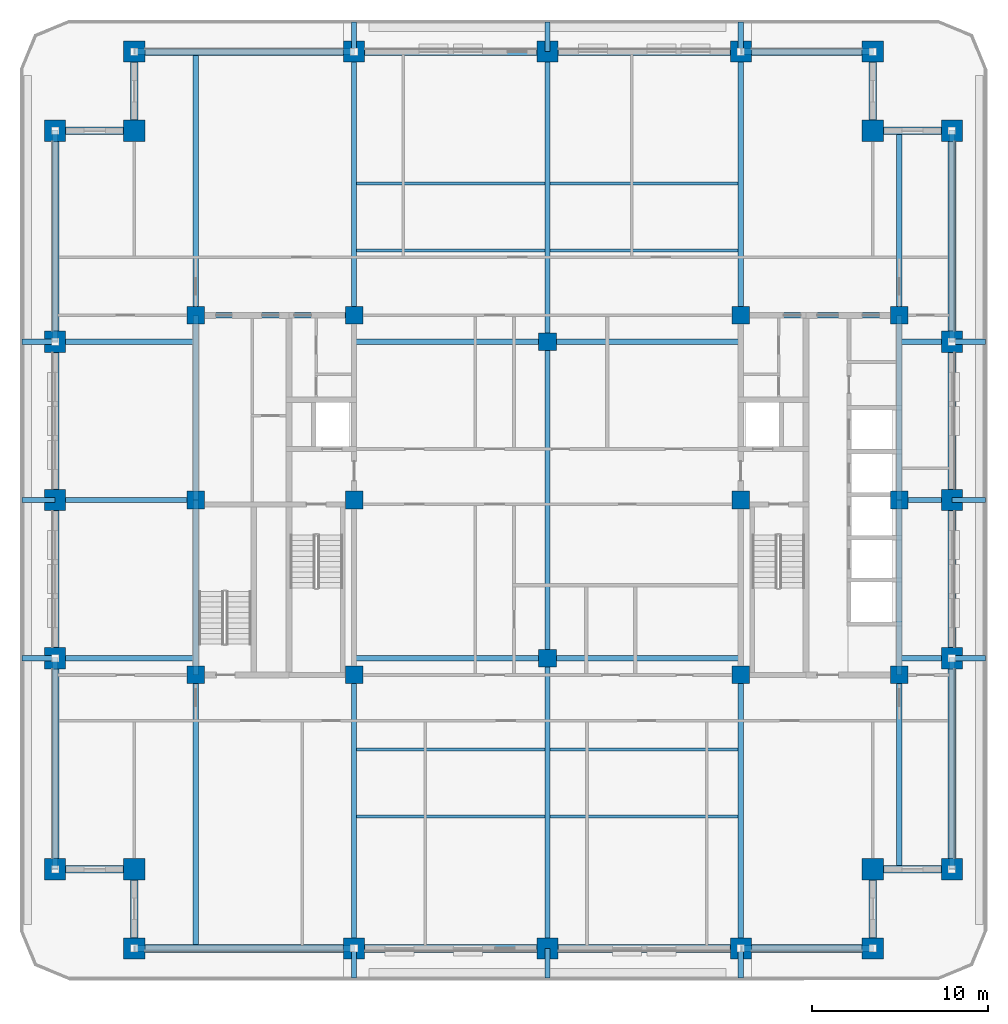
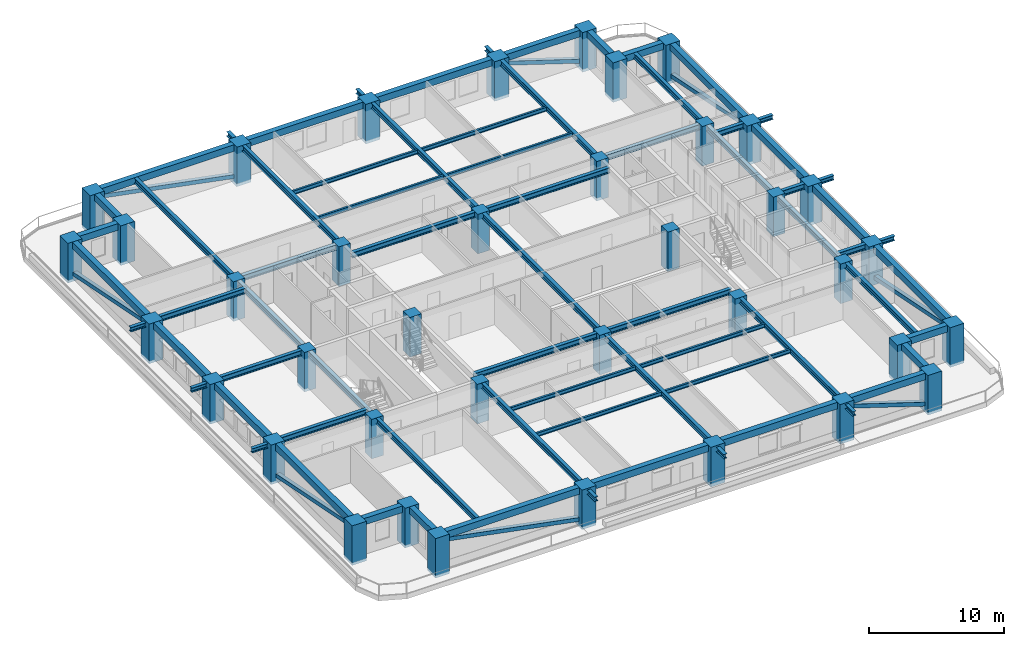
# One storey, part 1 of 15: 71 beams, 38 columns, 8 members.
"""IFC4 building model written with IfcOpenShell, lengths in metres."""

from ifc_helpers import new_model, si_unit, direction, frame, origin, origin_2d, place, context, subcontext, project, spatial, rectangle, hollow_rectangle, i_section, extrude, material, material_profile, profile_set, type_object, element, save


model = new_model("IFC4")

# Units and contexts
model_context = context("Model", 3, precision=1e-05, world=origin(), true_north=direction((0.0, 1.0)))
body_context = subcontext(model_context, "Body", "Model", "MODEL_VIEW")
ifc_project = project(units=[si_unit("LENGTHUNIT", "METRE"), si_unit("AREAUNIT", "SQUARE_METRE"), si_unit("VOLUMEUNIT", "CUBIC_METRE"), si_unit("PLANEANGLEUNIT", "RADIAN"), si_unit("MASSUNIT", "GRAM", prefix="KILO")], contexts=[model_context])

# Site, building, storey
site_placement = place(None, origin())
site = spatial("IfcSite", under=ifc_project, at=site_placement, CompositionType="ELEMENT")
building_placement = place(site_placement, origin())
building = spatial("IfcBuilding", under=site, at=building_placement, Name="Zulmaris Gate Convention Tower", CompositionType="ELEMENT")
storey_placement = place(building_placement, frame((0.0, 0.0, 132.059814453125)))
storey = spatial("IfcBuildingStorey", under=building, at=storey_placement, Name="L33", CompositionType="ELEMENT", Elevation=132.059814453125)

# Columns
ifc_material_1 = material(Name="Concrete C60/75", Category="concrete")
ifc_material_profile_1 = material_profile(ifc_material_1, rectangle(XDim=1.0, YDim=1.0, at=origin_2d()), Name="RC COL 1000x1000")
ifc_profile_set_1 = profile_set([ifc_material_profile_1], Name="Concrete C60/75")
column_type_1 = type_object("IfcColumnType", Name="COL-RC1000", PredefinedType="COLUMN", material=ifc_profile_set_1)
for number, where, z_axis, x_axis, name in (
    (1, (-20.0, -9.949951171875, -0.25), (0.0, 0.0, 1.0), (1.0, 0.0, 0.0), "L33 Column IN--20.00_-9.95"),
    (2, (-20.0, 10.5, -0.25), (0.0, 0.0, 1.0), (1.0, 0.0, 0.0), "L33 Column IN--20.00_+10.50"),
    (3, (-11.0, -9.949951171875, -0.25), (0.0, 0.0, 1.0), (1.0, 0.0, 0.0), "L33 Column IN--11.00_-9.95"),
    (4, (-11.0, 0.0, -0.25), (0.0, 0.0, 1.0), (1.0, 0.0, 0.0), "L33 Column IN--11.00_+0.00"),
    (5, (-11.0, 10.5, -0.25), (0.0, 0.0, 1.0), (1.0, 0.0, 0.0), "L33 Column IN--11.00_+10.50"),
    (6, (11.0, -9.949951171875, -0.25), (0.0, 0.0, 1.0), (1.0, 0.0, 0.0), "L33 Column IN-+11.00_-9.95"),
    (7, (11.0, 0.0, -0.25), (0.0, 0.0, 1.0), (1.0, 0.0, 0.0), "L33 Column IN-+11.00_+0.00"),
    (8, (11.0, 10.5, -0.25), (0.0, 0.0, 1.0), (1.0, 0.0, 0.0), "L33 Column IN-+11.00_+10.50"),
    (9, (20.0, -9.949951171875, -0.25), (0.0, 0.0, 1.0), (1.0, 0.0, 0.0), "L33 Column IN-+20.00_-9.95"),
    (10, (20.0, 10.5, -0.25), (0.0, 0.0, 1.0), (1.0, 0.0, 0.0), "L33 Column IN-+20.00_+10.50"),
    (11, (0.0, -9.0, -0.25), (0.0, 0.0, 1.0), (1.0, 0.0, 0.0), "L33 Column IN-+0.00_-9.00"),
    (12, (0.0, 9.0, -0.25), (0.0, 0.0, 1.0), (1.0, 0.0, 0.0), "L33 Column IN-+0.00_+9.00"),
    (13, (-20.0, 0.0, -0.25), (0.0, 0.0, 1.0), (1.0, 0.0, 0.0), "L33 Column IN--20.00_+0.00"),
    (14, (20.0, 0.0, -0.25), (0.0, 0.0, 1.0), (1.0, 0.0, 0.0), "L33 Column IN-+20.00_+0.00"),
):
    element("IfcColumn", number, at=place(storey_placement, frame(where, z_axis=z_axis, x_axis=x_axis)), inside=storey, type_object=column_type_1, Name=name, PredefinedType="COLUMN", context=body_context, shape_type="SweptSolid", body=[
        extrude(rectangle(XDim=1.0, YDim=1.0, at=origin_2d()), origin(), (0.0, 0.0, 1.0), 3.570068359375),
    ])
ifc_material_2 = material(Name="Concrete C70/85", Category="concrete")
ifc_material_profile_2 = material_profile(ifc_material_2, rectangle(XDim=1.199951171875, YDim=1.199951171875, at=origin_2d()), Name="RC COL 1200x1200")
ifc_profile_set_2 = profile_set([ifc_material_profile_2], Name="Concrete C70/85")
column_type_2 = type_object("IfcColumnType", Name="COL-RC1200", PredefinedType="COLUMN", material=ifc_profile_set_2)
for number, where, z_axis, x_axis, name in (
    (15, (-23.5, -25.5, -0.25), (0.0, 0.0, 1.0), (1.0, 0.0, 0.0), "L33 Column PT--23.50_-25.50"),
    (16, (-11.0, -25.5, -0.25), (0.0, 0.0, 1.0), (1.0, 0.0, 0.0), "L33 Column PT--11.00_-25.50"),
    (17, (0.0, -25.5, -0.25), (0.0, 0.0, 1.0), (1.0, 0.0, 0.0), "L33 Column PT-+0.00_-25.50"),
    (18, (11.0, -25.5, -0.25), (0.0, 0.0, 1.0), (1.0, 0.0, 0.0), "L33 Column PT-+11.00_-25.50"),
    (19, (18.5, -25.5, -0.25), (0.0, 0.0, 1.0), (1.0, 0.0, 0.0), "L33 Column PT-+18.50_-25.50"),
    (20, (-23.5, 25.5, -0.25), (0.0, 0.0, 1.0), (1.0, 0.0, 0.0), "L33 Column PT--23.50_+25.50"),
    (21, (-11.0, 25.5, -0.25), (0.0, 0.0, 1.0), (1.0, 0.0, 0.0), "L33 Column PT--11.00_+25.50"),
    (22, (0.0, 25.5, -0.25), (0.0, 0.0, 1.0), (1.0, 0.0, 0.0), "L33 Column PT-+0.00_+25.50"),
    (23, (11.0, 25.5, -0.25), (0.0, 0.0, 1.0), (1.0, 0.0, 0.0), "L33 Column PT-+11.00_+25.50"),
    (24, (18.5, 25.5, -0.25), (0.0, 0.0, 1.0), (1.0, 0.0, 0.0), "L33 Column PT-+18.50_+25.50"),
    (25, (-28.0, -21.0, -0.25), (0.0, 0.0, 1.0), (1.0, 0.0, 0.0), "L33 Column PT--28.00_-21.00"),
    (26, (-28.0, -9.0, -0.25), (0.0, 0.0, 1.0), (1.0, 0.0, 0.0), "L33 Column PT--28.00_-9.00"),
    (27, (-28.0, 0.0, -0.25), (0.0, 0.0, 1.0), (1.0, 0.0, 0.0), "L33 Column PT--28.00_+0.00"),
    (28, (-28.0, 9.0, -0.25), (0.0, 0.0, 1.0), (1.0, 0.0, 0.0), "L33 Column PT--28.00_+9.00"),
    (29, (-28.0, 21.0, -0.25), (0.0, 0.0, 1.0), (1.0, 0.0, 0.0), "L33 Column PT--28.00_+21.00"),
    (30, (23.0, -21.0, -0.25), (0.0, 0.0, 1.0), (1.0, 0.0, 0.0), "L33 Column PT-+23.00_-21.00"),
    (31, (23.0, -9.0, -0.25), (0.0, 0.0, 1.0), (1.0, 0.0, 0.0), "L33 Column PT-+23.00_-9.00"),
    (32, (23.0, 0.0, -0.25), (0.0, 0.0, 1.0), (1.0, 0.0, 0.0), "L33 Column PT-+23.00_+0.00"),
    (33, (23.0, 9.0, -0.25), (0.0, 0.0, 1.0), (1.0, 0.0, 0.0), "L33 Column PT-+23.00_+9.00"),
    (34, (23.0, 21.0, -0.25), (0.0, 0.0, 1.0), (1.0, 0.0, 0.0), "L33 Column PT-+23.00_+21.00"),
    (35, (-23.5, -21.0, -0.25), (0.0, 0.0, 1.0), (1.0, 0.0, 0.0), "L33 Column PT--23.50_-21.00"),
    (36, (18.5, -21.0, -0.25), (0.0, 0.0, 1.0), (1.0, 0.0, 0.0), "L33 Column PT-+18.50_-21.00"),
    (37, (18.5, 21.0, -0.25), (0.0, 0.0, 1.0), (1.0, 0.0, 0.0), "L33 Column PT-+18.50_+21.00"),
    (38, (-23.5, 21.0, -0.25), (0.0, 0.0, 1.0), (1.0, 0.0, 0.0), "L33 Column PT--23.50_+21.00"),
):
    element("IfcColumn", number, at=place(storey_placement, frame(where, z_axis=z_axis, x_axis=x_axis)), inside=storey, type_object=column_type_2, Name=name, PredefinedType="COLUMN", context=body_context, shape_type="SweptSolid", body=[
        extrude(rectangle(XDim=1.199951171875, YDim=1.199951171875, at=origin_2d()), origin(), (0.0, 0.0, 1.0), 3.570068359375),
    ])

# Beams
ifc_material_3 = material(Name="Steel S355", Category="steel")
ifc_material_profile_3 = material_profile(ifc_material_3, i_section(OverallWidth=0.300048828125, OverallDepth=0.39990234375, WebThickness=0.013427734375, FlangeThickness=0.02392578125, FilletRadius=0.027099609375, at=origin_2d()), Name="HEB 400")
ifc_profile_set_3 = profile_set([ifc_material_profile_3], Name="Steel S355")
beam_type_1 = type_object("IfcBeamType", Name="BM-HEB400", PredefinedType="BEAM", material=ifc_profile_set_3)
for number, where, z_axis, x_axis, name in (
    (39, (-11.0, -27.199951171875, 2.97998046875), (0.0, 1.0, 0.0), (-1.0, 0.0, 0.0), "L33 Beam TBRK-L33-S--11"),
    (40, (-11.0, 25.5, 2.97998046875), (0.0, 1.0, 0.0), (-1.0, 0.0, 0.0), "L33 Beam TBRK-L33-N--11"),
    (41, (0.0, -27.199951171875, 2.97998046875), (0.0, 1.0, 0.0), (-1.0, 0.0, 0.0), "L33 Beam TBRK-L33-S-+0"),
    (42, (0.0, 25.5, 2.97998046875), (0.0, 1.0, 0.0), (-1.0, 0.0, 0.0), "L33 Beam TBRK-L33-N-+0"),
    (43, (11.0, -27.199951171875, 2.97998046875), (0.0, 1.0, 0.0), (-1.0, 0.0, 0.0), "L33 Beam TBRK-L33-S-+11"),
    (44, (11.0, 25.5, 2.97998046875), (0.0, 1.0, 0.0), (-1.0, 0.0, 0.0), "L33 Beam TBRK-L33-N-+11"),
):
    element("IfcBeam", number, at=place(storey_placement, frame(where, z_axis=z_axis, x_axis=x_axis)), inside=storey, type_object=beam_type_1, Name=name, PredefinedType="BEAM", context=body_context, shape_type="SweptSolid", body=[
        extrude(i_section(OverallWidth=0.300048828125, OverallDepth=0.39990234375, WebThickness=0.013427734375, FlangeThickness=0.02392578125, FilletRadius=0.027099609375, at=origin_2d()), origin(), (0.0, 0.0, 1.0), 1.699951171875),
    ])
for number, where, z_axis, x_axis, name in (
    (45, (-29.89990234375, -9.0, 2.97998046875), (1.0, 0.0, 0.0), (0.0, 1.0, 0.0), "L33 Beam TBRK-L33-W--9"),
    (46, (23.0, -9.0, 2.97998046875), (1.0, 0.0, 0.0), (0.0, 1.0, 0.0), "L33 Beam TBRK-L33-E--9"),
    (47, (-29.89990234375, 0.0, 2.97998046875), (1.0, 0.0, 0.0), (0.0, 1.0, 0.0), "L33 Beam TBRK-L33-W-+0"),
    (48, (23.0, 0.0, 2.97998046875), (1.0, 0.0, 0.0), (0.0, 1.0, 0.0), "L33 Beam TBRK-L33-E-+0"),
    (49, (-29.89990234375, 9.0, 2.97998046875), (1.0, 0.0, 0.0), (0.0, 1.0, 0.0), "L33 Beam TBRK-L33-W-+9"),
    (50, (23.0, 9.0, 2.97998046875), (1.0, 0.0, 0.0), (0.0, 1.0, 0.0), "L33 Beam TBRK-L33-E-+9"),
):
    element("IfcBeam", number, at=place(storey_placement, frame(where, z_axis=z_axis, x_axis=x_axis)), inside=storey, type_object=beam_type_1, Name=name, PredefinedType="BEAM", context=body_context, shape_type="SweptSolid", body=[
        extrude(i_section(OverallWidth=0.300048828125, OverallDepth=0.39990234375, WebThickness=0.013427734375, FlangeThickness=0.02392578125, FilletRadius=0.027099609375, at=origin_2d()), origin(), (0.0, 0.0, 1.0), 1.89990234375),
    ])
ifc_material_profile_4 = material_profile(ifc_material_3, i_section(OverallWidth=0.300048828125, OverallDepth=0.5, WebThickness=0.014404296875, FlangeThickness=0.028076171875, FilletRadius=0.027099609375, at=origin_2d()), Name="HEB 500")
ifc_profile_set_4 = profile_set([ifc_material_profile_4], Name="Steel S355")
beam_type_2 = type_object("IfcBeamType", Name="BM-HEB500", PredefinedType="BEAM", material=ifc_profile_set_4)
for number, where, z_axis, x_axis, name in (
    (51, (-11.0, -9.0, 3.068115234375), (1.0, 0.0, 0.0), (0.0, 1.0, 0.0), "L33 Beam BM-L33-G01"),
    (52, (0.0, -9.0, 3.068115234375), (1.0, 0.0, 0.0), (0.0, 1.0, 0.0), "L33 Beam BM-L33-G02"),
    (53, (-11.0, 9.0, 3.068115234375), (1.0, 0.0, 0.0), (0.0, 1.0, 0.0), "L33 Beam BM-L33-G03"),
    (54, (0.0, 9.0, 3.068115234375), (1.0, 0.0, 0.0), (0.0, 1.0, 0.0), "L33 Beam BM-L33-G04"),
):
    element("IfcBeam", number, at=place(storey_placement, frame(where, z_axis=z_axis, x_axis=x_axis)), inside=storey, type_object=beam_type_2, Name=name, PredefinedType="BEAM", context=body_context, shape_type="SweptSolid", body=[
        extrude(i_section(OverallWidth=0.300048828125, OverallDepth=0.5, WebThickness=0.014404296875, FlangeThickness=0.028076171875, FilletRadius=0.027099609375, at=origin_2d()), origin(), (0.0, 0.0, 1.0), 11.0),
    ])
beam_1_placement = place(storey_placement, frame((0.0, -25.5, 3.068115234375), z_axis=(0.0, 1.0, 0.0), x_axis=(-1.0, 0.0, 0.0)))
element("IfcBeam", 55, at=beam_1_placement, inside=storey, type_object=beam_type_2, Name="L33 Beam BM-L33-G05", PredefinedType="BEAM", context=body_context, shape_type="SweptSolid", body=[
    extrude(i_section(OverallWidth=0.300048828125, OverallDepth=0.5, WebThickness=0.014404296875, FlangeThickness=0.028076171875, FilletRadius=0.027099609375, at=origin_2d()), origin(), (0.0, 0.0, 1.0), 16.5),
])
beam_2_placement = place(storey_placement, frame((0.0, -9.0, 3.068115234375), z_axis=(0.0, 1.0, 0.0), x_axis=(-1.0, 0.0, 0.0)))
element("IfcBeam", 56, at=beam_2_placement, inside=storey, type_object=beam_type_2, Name="L33 Beam BM-L33-G06", PredefinedType="BEAM", context=body_context, shape_type="SweptSolid", body=[
    extrude(i_section(OverallWidth=0.300048828125, OverallDepth=0.5, WebThickness=0.014404296875, FlangeThickness=0.028076171875, FilletRadius=0.027099609375, at=origin_2d()), origin(), (0.0, 0.0, 1.0), 18.0),
])
beam_3_placement = place(storey_placement, frame((0.0, 9.0, 3.068115234375), z_axis=(0.0, 1.0, 0.0), x_axis=(-1.0, 0.0, 0.0)))
element("IfcBeam", 57, at=beam_3_placement, inside=storey, type_object=beam_type_2, Name="L33 Beam BM-L33-G07", PredefinedType="BEAM", context=body_context, shape_type="SweptSolid", body=[
    extrude(i_section(OverallWidth=0.300048828125, OverallDepth=0.5, WebThickness=0.014404296875, FlangeThickness=0.028076171875, FilletRadius=0.027099609375, at=origin_2d()), origin(), (0.0, 0.0, 1.0), 16.5),
])
beam_4_placement = place(storey_placement, frame((-11.0, -25.5, 3.068115234375), z_axis=(0.0, 1.0, 0.0), x_axis=(-1.0, 0.0, 0.0)))
element("IfcBeam", 58, at=beam_4_placement, inside=storey, type_object=beam_type_2, Name="L33 Beam BM-L33-G08", PredefinedType="BEAM", context=body_context, shape_type="SweptSolid", body=[
    extrude(i_section(OverallWidth=0.300048828125, OverallDepth=0.5, WebThickness=0.014404296875, FlangeThickness=0.028076171875, FilletRadius=0.027099609375, at=origin_2d()), origin(), (0.0, 0.0, 1.0), 15.550048828125),
])
beam_5_placement = place(storey_placement, frame((-11.0, 10.5, 3.068115234375), z_axis=(0.0, 1.0, 0.0), x_axis=(-1.0, 0.0, 0.0)))
element("IfcBeam", 59, at=beam_5_placement, inside=storey, type_object=beam_type_2, Name="L33 Beam BM-L33-G09", PredefinedType="BEAM", context=body_context, shape_type="SweptSolid", body=[
    extrude(i_section(OverallWidth=0.300048828125, OverallDepth=0.5, WebThickness=0.014404296875, FlangeThickness=0.028076171875, FilletRadius=0.027099609375, at=origin_2d()), origin(), (0.0, 0.0, 1.0), 15.0),
])
beam_6_placement = place(storey_placement, frame((11.0, -25.5, 3.068115234375), z_axis=(0.0, 1.0, 0.0), x_axis=(-1.0, 0.0, 0.0)))
element("IfcBeam", 60, at=beam_6_placement, inside=storey, type_object=beam_type_2, Name="L33 Beam BM-L33-G10", PredefinedType="BEAM", context=body_context, shape_type="SweptSolid", body=[
    extrude(i_section(OverallWidth=0.300048828125, OverallDepth=0.5, WebThickness=0.014404296875, FlangeThickness=0.028076171875, FilletRadius=0.027099609375, at=origin_2d()), origin(), (0.0, 0.0, 1.0), 15.550048828125),
])
beam_7_placement = place(storey_placement, frame((11.0, 10.5, 3.068115234375), z_axis=(0.0, 1.0, 0.0), x_axis=(-1.0, 0.0, 0.0)))
element("IfcBeam", 61, at=beam_7_placement, inside=storey, type_object=beam_type_2, Name="L33 Beam BM-L33-G11", PredefinedType="BEAM", context=body_context, shape_type="SweptSolid", body=[
    extrude(i_section(OverallWidth=0.300048828125, OverallDepth=0.5, WebThickness=0.014404296875, FlangeThickness=0.028076171875, FilletRadius=0.027099609375, at=origin_2d()), origin(), (0.0, 0.0, 1.0), 15.0),
])
beam_8_placement = place(storey_placement, frame((-20.0, -25.5, 3.068115234375), z_axis=(0.0, 1.0, 0.0), x_axis=(-1.0, 0.0, 0.0)))
element("IfcBeam", 62, at=beam_8_placement, inside=storey, type_object=beam_type_2, Name="L33 Beam BM-L33-G12", PredefinedType="BEAM", context=body_context, shape_type="SweptSolid", body=[
    extrude(i_section(OverallWidth=0.300048828125, OverallDepth=0.5, WebThickness=0.014404296875, FlangeThickness=0.028076171875, FilletRadius=0.027099609375, at=origin_2d()), origin(), (0.0, 0.0, 1.0), 15.550048828125),
])
beam_9_placement = place(storey_placement, frame((-20.0, 10.5, 3.068115234375), z_axis=(0.0, 1.0, 0.0), x_axis=(-1.0, 0.0, 0.0)))
element("IfcBeam", 63, at=beam_9_placement, inside=storey, type_object=beam_type_2, Name="L33 Beam BM-L33-G13", PredefinedType="BEAM", context=body_context, shape_type="SweptSolid", body=[
    extrude(i_section(OverallWidth=0.300048828125, OverallDepth=0.5, WebThickness=0.014404296875, FlangeThickness=0.028076171875, FilletRadius=0.027099609375, at=origin_2d()), origin(), (0.0, 0.0, 1.0), 15.0),
])
beam_10_placement = place(storey_placement, frame((20.0, -21.0, 3.068115234375), z_axis=(0.0, 1.0, 0.0), x_axis=(-1.0, 0.0, 0.0)))
element("IfcBeam", 64, at=beam_10_placement, inside=storey, type_object=beam_type_2, Name="L33 Beam BM-L33-G14", PredefinedType="BEAM", context=body_context, shape_type="SweptSolid", body=[
    extrude(i_section(OverallWidth=0.300048828125, OverallDepth=0.5, WebThickness=0.014404296875, FlangeThickness=0.028076171875, FilletRadius=0.027099609375, at=origin_2d()), origin(), (0.0, 0.0, 1.0), 11.050048828125),
])
beam_11_placement = place(storey_placement, frame((20.0, 10.5, 3.068115234375), z_axis=(0.0, 1.0, 0.0), x_axis=(-1.0, 0.0, 0.0)))
element("IfcBeam", 65, at=beam_11_placement, inside=storey, type_object=beam_type_2, Name="L33 Beam BM-L33-G15", PredefinedType="BEAM", context=body_context, shape_type="SweptSolid", body=[
    extrude(i_section(OverallWidth=0.300048828125, OverallDepth=0.5, WebThickness=0.014404296875, FlangeThickness=0.028076171875, FilletRadius=0.027099609375, at=origin_2d()), origin(), (0.0, 0.0, 1.0), 10.5),
])
for number, where, z_axis, x_axis, name in (
    (66, (-28.0, -9.0, 3.068115234375), (1.0, 0.0, 0.0), (0.0, 1.0, 0.0), "L33 Beam BM-L33-G16"),
    (67, (-28.0, 0.0, 3.068115234375), (1.0, 0.0, 0.0), (0.0, 1.0, 0.0), "L33 Beam BM-L33-G17"),
    (68, (-28.0, 9.0, 3.068115234375), (1.0, 0.0, 0.0), (0.0, 1.0, 0.0), "L33 Beam BM-L33-G18"),
):
    element("IfcBeam", number, at=place(storey_placement, frame(where, z_axis=z_axis, x_axis=x_axis)), inside=storey, type_object=beam_type_2, Name=name, PredefinedType="BEAM", context=body_context, shape_type="SweptSolid", body=[
        extrude(i_section(OverallWidth=0.300048828125, OverallDepth=0.5, WebThickness=0.014404296875, FlangeThickness=0.028076171875, FilletRadius=0.027099609375, at=origin_2d()), origin(), (0.0, 0.0, 1.0), 8.0),
    ])
for number, where, z_axis, x_axis, name in (
    (69, (20.0, -9.0, 3.068115234375), (1.0, 0.0, 0.0), (0.0, 1.0, 0.0), "L33 Beam BM-L33-G19"),
    (70, (20.0, 0.0, 3.068115234375), (1.0, 0.0, 0.0), (0.0, 1.0, 0.0), "L33 Beam BM-L33-G20"),
    (71, (20.0, 9.0, 3.068115234375), (1.0, 0.0, 0.0), (0.0, 1.0, 0.0), "L33 Beam BM-L33-G21"),
):
    element("IfcBeam", number, at=place(storey_placement, frame(where, z_axis=z_axis, x_axis=x_axis)), inside=storey, type_object=beam_type_2, Name=name, PredefinedType="BEAM", context=body_context, shape_type="SweptSolid", body=[
        extrude(i_section(OverallWidth=0.300048828125, OverallDepth=0.5, WebThickness=0.014404296875, FlangeThickness=0.028076171875, FilletRadius=0.027099609375, at=origin_2d()), origin(), (0.0, 0.0, 1.0), 3.0),
    ])
for number, where, z_axis, x_axis, name in (
    (72, (-20.0, 10.5, 3.068115234375), (1.0, 0.0, 0.0), (0.0, 1.0, 0.0), "L33 Beam BM-L33-G23"),
    (73, (11.0, 10.5, 3.068115234375), (1.0, 0.0, 0.0), (0.0, 1.0, 0.0), "L33 Beam BM-L33-G25"),
):
    element("IfcBeam", number, at=place(storey_placement, frame(where, z_axis=z_axis, x_axis=x_axis)), inside=storey, type_object=beam_type_2, Name=name, PredefinedType="BEAM", context=body_context, shape_type="SweptSolid", body=[
        extrude(i_section(OverallWidth=0.300048828125, OverallDepth=0.5, WebThickness=0.014404296875, FlangeThickness=0.028076171875, FilletRadius=0.027099609375, at=origin_2d()), origin(), (0.0, 0.0, 1.0), 9.0),
    ])
beam_12_placement = place(storey_placement, frame((-20.0, -9.949951171875, 3.068115234375), z_axis=(0.0, 1.0, 0.0), x_axis=(-1.0, 0.0, 0.0)))
element("IfcBeam", 74, at=beam_12_placement, inside=storey, type_object=beam_type_2, Name="L33 Beam BM-L33-G26", PredefinedType="BEAM", context=body_context, shape_type="SweptSolid", body=[
    extrude(i_section(OverallWidth=0.300048828125, OverallDepth=0.5, WebThickness=0.014404296875, FlangeThickness=0.028076171875, FilletRadius=0.027099609375, at=origin_2d()), origin(), (0.0, 0.0, 1.0), 9.949951171875),
])
beam_13_placement = place(storey_placement, frame((-20.0, 0.0, 3.068115234375), z_axis=(0.0, 1.0, 0.0), x_axis=(-1.0, 0.0, 0.0)))
element("IfcBeam", 75, at=beam_13_placement, inside=storey, type_object=beam_type_2, Name="L33 Beam BM-L33-G27", PredefinedType="BEAM", context=body_context, shape_type="SweptSolid", body=[
    extrude(i_section(OverallWidth=0.300048828125, OverallDepth=0.5, WebThickness=0.014404296875, FlangeThickness=0.028076171875, FilletRadius=0.027099609375, at=origin_2d()), origin(), (0.0, 0.0, 1.0), 10.5),
])
beam_14_placement = place(storey_placement, frame((20.0, -9.949951171875, 3.068115234375), z_axis=(0.0, 1.0, 0.0), x_axis=(-1.0, 0.0, 0.0)))
element("IfcBeam", 76, at=beam_14_placement, inside=storey, type_object=beam_type_2, Name="L33 Beam BM-L33-G28", PredefinedType="BEAM", context=body_context, shape_type="SweptSolid", body=[
    extrude(i_section(OverallWidth=0.300048828125, OverallDepth=0.5, WebThickness=0.014404296875, FlangeThickness=0.028076171875, FilletRadius=0.027099609375, at=origin_2d()), origin(), (0.0, 0.0, 1.0), 9.949951171875),
])
beam_15_placement = place(storey_placement, frame((20.0, 0.0, 3.068115234375), z_axis=(0.0, 1.0, 0.0), x_axis=(-1.0, 0.0, 0.0)))
element("IfcBeam", 77, at=beam_15_placement, inside=storey, type_object=beam_type_2, Name="L33 Beam BM-L33-G29", PredefinedType="BEAM", context=body_context, shape_type="SweptSolid", body=[
    extrude(i_section(OverallWidth=0.300048828125, OverallDepth=0.5, WebThickness=0.014404296875, FlangeThickness=0.028076171875, FilletRadius=0.027099609375, at=origin_2d()), origin(), (0.0, 0.0, 1.0), 10.5),
])
ifc_material_4 = material(Name="Precast concrete C50/60", Category="concrete")
ifc_material_profile_5 = material_profile(ifc_material_4, rectangle(XDim=0.449951171875, YDim=0.60009765625, at=origin_2d()), Name="RC SPANDREL 450x600")
ifc_profile_set_5 = profile_set([ifc_material_profile_5], Name="Precast concrete C50/60")
beam_type_3 = type_object("IfcBeamType", Name="BM-SP450x600", PredefinedType="SPANDREL", material=ifc_profile_set_5)
beam_16_placement = place(storey_placement, frame((-23.5, -25.5, 3.02001953125), z_axis=(1.0, 0.0, 0.0), x_axis=(0.0, 1.0, 0.0)))
element("IfcBeam", 78, at=beam_16_placement, inside=storey, type_object=beam_type_3, Name="L33 Spandrel SP-L33-01", PredefinedType="SPANDREL", context=body_context, shape_type="SweptSolid", body=[
    extrude(rectangle(XDim=0.449951171875, YDim=0.60009765625, at=origin_2d()), origin(), (0.0, 0.0, 1.0), 12.5),
])
for number, where, z_axis, x_axis, name in (
    (79, (-11.0, -25.5, 3.02001953125), (1.0, 0.0, 0.0), (0.0, 1.0, 0.0), "L33 Spandrel SP-L33-02"),
    (80, (0.0, -25.5, 3.02001953125), (1.0, 0.0, 0.0), (0.0, 1.0, 0.0), "L33 Spandrel SP-L33-03"),
):
    element("IfcBeam", number, at=place(storey_placement, frame(where, z_axis=z_axis, x_axis=x_axis)), inside=storey, type_object=beam_type_3, Name=name, PredefinedType="SPANDREL", context=body_context, shape_type="SweptSolid", body=[
        extrude(rectangle(XDim=0.449951171875, YDim=0.60009765625, at=origin_2d()), origin(), (0.0, 0.0, 1.0), 11.0),
    ])
beam_17_placement = place(storey_placement, frame((11.0, -25.5, 3.02001953125), z_axis=(1.0, 0.0, 0.0), x_axis=(0.0, 1.0, 0.0)))
element("IfcBeam", 81, at=beam_17_placement, inside=storey, type_object=beam_type_3, Name="L33 Spandrel SP-L33-04", PredefinedType="SPANDREL", context=body_context, shape_type="SweptSolid", body=[
    extrude(rectangle(XDim=0.449951171875, YDim=0.60009765625, at=origin_2d()), origin(), (0.0, 0.0, 1.0), 7.5),
])
for number, where, z_axis, x_axis, name in (
    (82, (18.5, -25.5, 3.02001953125), (0.0, 1.0, 0.0), (-1.0, 0.0, 0.0), "L33 Spandrel SP-L33-05"),
    (83, (18.5, -21.0, 3.02001953125), (1.0, 0.0, 0.0), (0.0, 1.0, 0.0), "L33 Spandrel SP-L33-06"),
):
    element("IfcBeam", number, at=place(storey_placement, frame(where, z_axis=z_axis, x_axis=x_axis)), inside=storey, type_object=beam_type_3, Name=name, PredefinedType="SPANDREL", context=body_context, shape_type="SweptSolid", body=[
        extrude(rectangle(XDim=0.449951171875, YDim=0.60009765625, at=origin_2d()), origin(), (0.0, 0.0, 1.0), 4.5),
    ])
beam_18_placement = place(storey_placement, frame((23.0, -21.0, 3.02001953125), z_axis=(0.0, 1.0, 0.0), x_axis=(-1.0, 0.0, 0.0)))
element("IfcBeam", 84, at=beam_18_placement, inside=storey, type_object=beam_type_3, Name="L33 Spandrel SP-L33-07", PredefinedType="SPANDREL", context=body_context, shape_type="SweptSolid", body=[
    extrude(rectangle(XDim=0.449951171875, YDim=0.60009765625, at=origin_2d()), origin(), (0.0, 0.0, 1.0), 12.0),
])
for number, where, z_axis, x_axis, name in (
    (85, (23.0, -9.0, 3.02001953125), (0.0, 1.0, 0.0), (-1.0, 0.0, 0.0), "L33 Spandrel SP-L33-08"),
    (86, (23.0, 0.0, 3.02001953125), (0.0, 1.0, 0.0), (-1.0, 0.0, 0.0), "L33 Spandrel SP-L33-09"),
):
    element("IfcBeam", number, at=place(storey_placement, frame(where, z_axis=z_axis, x_axis=x_axis)), inside=storey, type_object=beam_type_3, Name=name, PredefinedType="SPANDREL", context=body_context, shape_type="SweptSolid", body=[
        extrude(rectangle(XDim=0.449951171875, YDim=0.60009765625, at=origin_2d()), origin(), (0.0, 0.0, 1.0), 9.0),
    ])
beam_19_placement = place(storey_placement, frame((23.0, 9.0, 3.02001953125), z_axis=(0.0, 1.0, 0.0), x_axis=(-1.0, 0.0, 0.0)))
element("IfcBeam", 87, at=beam_19_placement, inside=storey, type_object=beam_type_3, Name="L33 Spandrel SP-L33-10", PredefinedType="SPANDREL", context=body_context, shape_type="SweptSolid", body=[
    extrude(rectangle(XDim=0.449951171875, YDim=0.60009765625, at=origin_2d()), origin(), (0.0, 0.0, 1.0), 12.0),
])
for number, where, z_axis, x_axis, name in (
    (88, (23.0, 21.0, 3.02001953125), (-1.0, 0.0, 0.0), (0.0, -1.0, 0.0), "L33 Spandrel SP-L33-11"),
    (89, (18.5, 21.0, 3.02001953125), (0.0, 1.0, 0.0), (-1.0, 0.0, 0.0), "L33 Spandrel SP-L33-12"),
):
    element("IfcBeam", number, at=place(storey_placement, frame(where, z_axis=z_axis, x_axis=x_axis)), inside=storey, type_object=beam_type_3, Name=name, PredefinedType="SPANDREL", context=body_context, shape_type="SweptSolid", body=[
        extrude(rectangle(XDim=0.449951171875, YDim=0.60009765625, at=origin_2d()), origin(), (0.0, 0.0, 1.0), 4.5),
    ])
beam_20_placement = place(storey_placement, frame((18.5, 25.5, 3.02001953125), z_axis=(-1.0, 0.0, 0.0), x_axis=(0.0, -1.0, 0.0)))
element("IfcBeam", 90, at=beam_20_placement, inside=storey, type_object=beam_type_3, Name="L33 Spandrel SP-L33-13", PredefinedType="SPANDREL", context=body_context, shape_type="SweptSolid", body=[
    extrude(rectangle(XDim=0.449951171875, YDim=0.60009765625, at=origin_2d()), origin(), (0.0, 0.0, 1.0), 7.5),
])
for number, where, z_axis, x_axis, name in (
    (91, (11.0, 25.5, 3.02001953125), (-1.0, 0.0, 0.0), (0.0, -1.0, 0.0), "L33 Spandrel SP-L33-14"),
    (92, (0.0, 25.5, 3.02001953125), (-1.0, 0.0, 0.0), (0.0, -1.0, 0.0), "L33 Spandrel SP-L33-15"),
):
    element("IfcBeam", number, at=place(storey_placement, frame(where, z_axis=z_axis, x_axis=x_axis)), inside=storey, type_object=beam_type_3, Name=name, PredefinedType="SPANDREL", context=body_context, shape_type="SweptSolid", body=[
        extrude(rectangle(XDim=0.449951171875, YDim=0.60009765625, at=origin_2d()), origin(), (0.0, 0.0, 1.0), 11.0),
    ])
beam_21_placement = place(storey_placement, frame((-11.0, 25.5, 3.02001953125), z_axis=(-1.0, 0.0, 0.0), x_axis=(0.0, -1.0, 0.0)))
element("IfcBeam", 93, at=beam_21_placement, inside=storey, type_object=beam_type_3, Name="L33 Spandrel SP-L33-16", PredefinedType="SPANDREL", context=body_context, shape_type="SweptSolid", body=[
    extrude(rectangle(XDim=0.449951171875, YDim=0.60009765625, at=origin_2d()), origin(), (0.0, 0.0, 1.0), 12.5),
])
for number, where, z_axis, x_axis, name in (
    (94, (-23.5, 25.5, 3.02001953125), (0.0, -1.0, 0.0), (1.0, 0.0, 0.0), "L33 Spandrel SP-L33-17"),
    (95, (-23.5, 21.0, 3.02001953125), (-1.0, 0.0, 0.0), (0.0, -1.0, 0.0), "L33 Spandrel SP-L33-18"),
):
    element("IfcBeam", number, at=place(storey_placement, frame(where, z_axis=z_axis, x_axis=x_axis)), inside=storey, type_object=beam_type_3, Name=name, PredefinedType="SPANDREL", context=body_context, shape_type="SweptSolid", body=[
        extrude(rectangle(XDim=0.449951171875, YDim=0.60009765625, at=origin_2d()), origin(), (0.0, 0.0, 1.0), 4.5),
    ])
beam_22_placement = place(storey_placement, frame((-28.0, 21.0, 3.02001953125), z_axis=(0.0, -1.0, 0.0), x_axis=(1.0, 0.0, 0.0)))
element("IfcBeam", 96, at=beam_22_placement, inside=storey, type_object=beam_type_3, Name="L33 Spandrel SP-L33-19", PredefinedType="SPANDREL", context=body_context, shape_type="SweptSolid", body=[
    extrude(rectangle(XDim=0.449951171875, YDim=0.60009765625, at=origin_2d()), origin(), (0.0, 0.0, 1.0), 12.0),
])
for number, where, z_axis, x_axis, name in (
    (97, (-28.0, 9.0, 3.02001953125), (0.0, -1.0, 0.0), (1.0, 0.0, 0.0), "L33 Spandrel SP-L33-20"),
    (98, (-28.0, 0.0, 3.02001953125), (0.0, -1.0, 0.0), (1.0, 0.0, 0.0), "L33 Spandrel SP-L33-21"),
):
    element("IfcBeam", number, at=place(storey_placement, frame(where, z_axis=z_axis, x_axis=x_axis)), inside=storey, type_object=beam_type_3, Name=name, PredefinedType="SPANDREL", context=body_context, shape_type="SweptSolid", body=[
        extrude(rectangle(XDim=0.449951171875, YDim=0.60009765625, at=origin_2d()), origin(), (0.0, 0.0, 1.0), 9.0),
    ])
beam_23_placement = place(storey_placement, frame((-28.0, -9.0, 3.02001953125), z_axis=(0.0, -1.0, 0.0), x_axis=(1.0, 0.0, 0.0)))
element("IfcBeam", 99, at=beam_23_placement, inside=storey, type_object=beam_type_3, Name="L33 Spandrel SP-L33-22", PredefinedType="SPANDREL", context=body_context, shape_type="SweptSolid", body=[
    extrude(rectangle(XDim=0.449951171875, YDim=0.60009765625, at=origin_2d()), origin(), (0.0, 0.0, 1.0), 12.0),
])
for number, where, z_axis, x_axis, name in (
    (100, (-28.0, -21.0, 3.02001953125), (1.0, 0.0, 0.0), (0.0, 1.0, 0.0), "L33 Spandrel SP-L33-23"),
    (101, (-23.5, -21.0, 3.02001953125), (0.0, -1.0, 0.0), (1.0, 0.0, 0.0), "L33 Spandrel SP-L33-24"),
):
    element("IfcBeam", number, at=place(storey_placement, frame(where, z_axis=z_axis, x_axis=x_axis)), inside=storey, type_object=beam_type_3, Name=name, PredefinedType="SPANDREL", context=body_context, shape_type="SweptSolid", body=[
        extrude(rectangle(XDim=0.449951171875, YDim=0.60009765625, at=origin_2d()), origin(), (0.0, 0.0, 1.0), 4.5),
    ])

# Members
ifc_material_5 = material(Name="Steel S460", Category="steel")
ifc_material_profile_6 = material_profile(ifc_material_5, hollow_rectangle(XDim=0.35009765625, YDim=0.35009765625, WallThickness=0.01611328125, at=origin_2d()), Name="SHS 350x350x16")
ifc_profile_set_6 = profile_set([ifc_material_profile_6], Name="Steel S460")
member_type = type_object("IfcMemberType", Name="BR-SHS350", PredefinedType="BRACE", material=ifc_profile_set_6)
for number, where, z_axis, x_axis, name in (
    (102, (-28.0, -9.0, 0.300048828125), (0.0, -0.98057837371, 0.196127644693), (1.0, 0.0, 0.0), "L33 Perimeter Tube Diagonal SW-W"),
    (103, (-28.0, 21.0, 0.300048828125), (0.0, -0.98057837371, 0.196127644693), (1.0, 0.0, 0.0), "L33 Perimeter Tube Diagonal NW-W"),
    (104, (23.0, -9.0, 0.300048828125), (0.0, -0.98057837371, 0.196127644693), (1.0, 0.0, 0.0), "L33 Perimeter Tube Diagonal SE-E"),
    (105, (23.0, 21.0, 0.300048828125), (0.0, -0.98057837371, 0.196127644693), (1.0, 0.0, 0.0), "L33 Perimeter Tube Diagonal NE-E"),
):
    element("IfcMember", number, at=place(storey_placement, frame(where, z_axis=z_axis, x_axis=x_axis)), inside=storey, type_object=member_type, Name=name, PredefinedType="BRACE", context=body_context, shape_type="SweptSolid", body=[
        extrude(hollow_rectangle(XDim=0.35009765625, YDim=0.35009765625, WallThickness=0.01611328125, at=origin_2d()), origin(), (0.0, 0.0, 1.0), 12.23779296875),
    ])
member_1_placement = place(storey_placement, frame((-11.0, -25.5, 0.300048828125), z_axis=(-0.982060310408, 0.0, 0.188567088118), x_axis=(0.0, -1.0, 0.0)))
element("IfcMember", 106, at=member_1_placement, inside=storey, type_object=member_type, Name="L33 Perimeter Tube Diagonal SW-S", PredefinedType="BRACE", context=body_context, shape_type="SweptSolid", body=[
    extrude(hollow_rectangle(XDim=0.35009765625, YDim=0.35009765625, WallThickness=0.01611328125, at=origin_2d()), origin(), (0.0, 0.0, 1.0), 12.728271484375),
])
member_2_placement = place(storey_placement, frame((18.5, -25.5, 0.300048828125), z_axis=(-0.952418747361, 0.0, 0.304792601084), x_axis=(0.0, -1.0, 0.0)))
element("IfcMember", 107, at=member_2_placement, inside=storey, type_object=member_type, Name="L33 Perimeter Tube Diagonal SE-S", PredefinedType="BRACE", context=body_context, shape_type="SweptSolid", body=[
    extrude(hollow_rectangle(XDim=0.35009765625, YDim=0.35009765625, WallThickness=0.01611328125, at=origin_2d()), origin(), (0.0, 0.0, 1.0), 7.874755859375),
])
member_3_placement = place(storey_placement, frame((-11.0, 25.5, 0.300048828125), z_axis=(-0.982060310408, 0.0, 0.188567088118), x_axis=(0.0, -1.0, 0.0)))
element("IfcMember", 108, at=member_3_placement, inside=storey, type_object=member_type, Name="L33 Perimeter Tube Diagonal NW-N", PredefinedType="BRACE", context=body_context, shape_type="SweptSolid", body=[
    extrude(hollow_rectangle(XDim=0.35009765625, YDim=0.35009765625, WallThickness=0.01611328125, at=origin_2d()), origin(), (0.0, 0.0, 1.0), 12.728271484375),
])
member_4_placement = place(storey_placement, frame((18.5, 25.5, 0.300048828125), z_axis=(-0.952418747361, 0.0, 0.304792601084), x_axis=(0.0, -1.0, 0.0)))
element("IfcMember", 109, at=member_4_placement, inside=storey, type_object=member_type, Name="L33 Perimeter Tube Diagonal NE-N", PredefinedType="BRACE", context=body_context, shape_type="SweptSolid", body=[
    extrude(hollow_rectangle(XDim=0.35009765625, YDim=0.35009765625, WallThickness=0.01611328125, at=origin_2d()), origin(), (0.0, 0.0, 1.0), 7.874755859375),
])

# Beams
ifc_material_profile_7 = material_profile(ifc_material_3, i_section(OverallWidth=0.169921875, OverallDepth=0.360107421875, WebThickness=0.008056640625, FlangeThickness=0.0126953125, FilletRadius=0.01806640625, at=origin_2d()), Name="IPE 360")
ifc_profile_set_7 = profile_set([ifc_material_profile_7], Name="Steel S355")
beam_type_4 = type_object("IfcBeamType", Name="JT-IPE360", PredefinedType="JOIST", material=ifc_profile_set_7)
for number, where, z_axis, x_axis, name in (
    (110, (-10.85009765625, -18.0, 3.13818359375), (1.0, 0.0, 0.0), (0.0, 1.0, 0.0), "L33 Joist JT-L33-CW--18.0"),
    (111, (0.14990234375, -18.0, 3.13818359375), (1.0, 0.0, 0.0), (0.0, 1.0, 0.0), "L33 Joist JT-L33-CE--18.0"),
    (112, (-10.85009765625, -14.199951171875, 3.13818359375), (1.0, 0.0, 0.0), (0.0, 1.0, 0.0), "L33 Joist JT-L33-CW--14.2"),
    (113, (0.14990234375, -14.199951171875, 3.13818359375), (1.0, 0.0, 0.0), (0.0, 1.0, 0.0), "L33 Joist JT-L33-CE--14.2"),
    (114, (-10.85009765625, 14.199951171875, 3.13818359375), (1.0, 0.0, 0.0), (0.0, 1.0, 0.0), "L33 Joist JT-L33-CW-+14.2"),
    (115, (0.14990234375, 14.199951171875, 3.13818359375), (1.0, 0.0, 0.0), (0.0, 1.0, 0.0), "L33 Joist JT-L33-CE-+14.2"),
    (116, (-10.85009765625, 18.0, 3.13818359375), (1.0, 0.0, 0.0), (0.0, 1.0, 0.0), "L33 Joist JT-L33-CW-+18.0"),
    (117, (0.14990234375, 18.0, 3.13818359375), (1.0, 0.0, 0.0), (0.0, 1.0, 0.0), "L33 Joist JT-L33-CE-+18.0"),
):
    element("IfcBeam", number, at=place(storey_placement, frame(where, z_axis=z_axis, x_axis=x_axis)), inside=storey, type_object=beam_type_4, Name=name, PredefinedType="JOIST", context=body_context, shape_type="SweptSolid", body=[
        extrude(i_section(OverallWidth=0.169921875, OverallDepth=0.360107421875, WebThickness=0.008056640625, FlangeThickness=0.0126953125, FilletRadius=0.01806640625, at=origin_2d()), origin(), (0.0, 0.0, 1.0), 10.7001953125),
    ])

save(model, "model.ifc")
